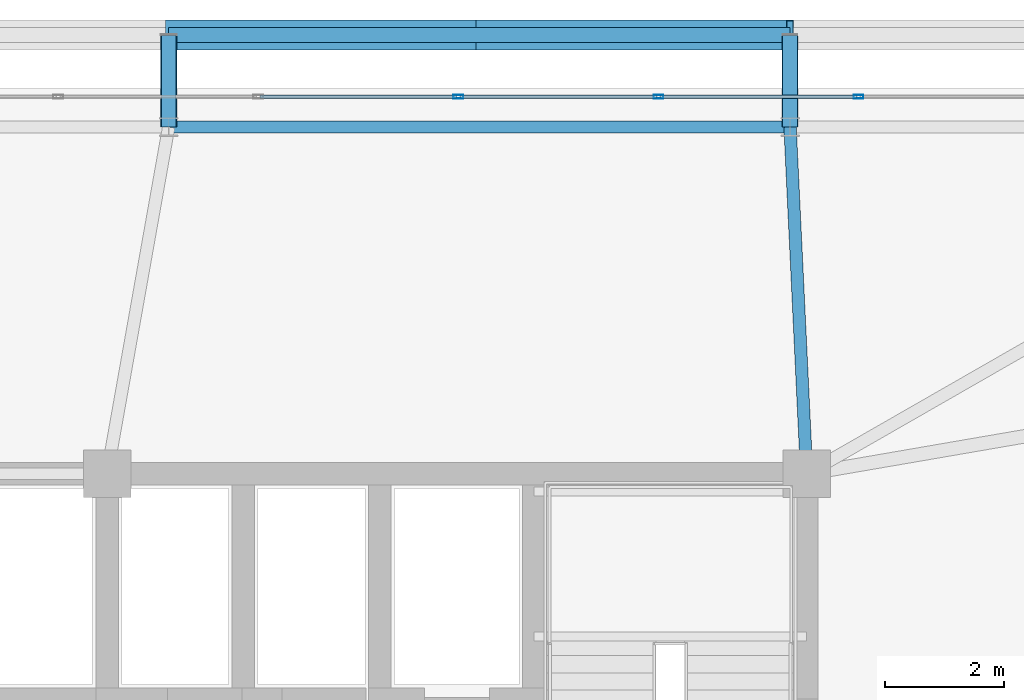
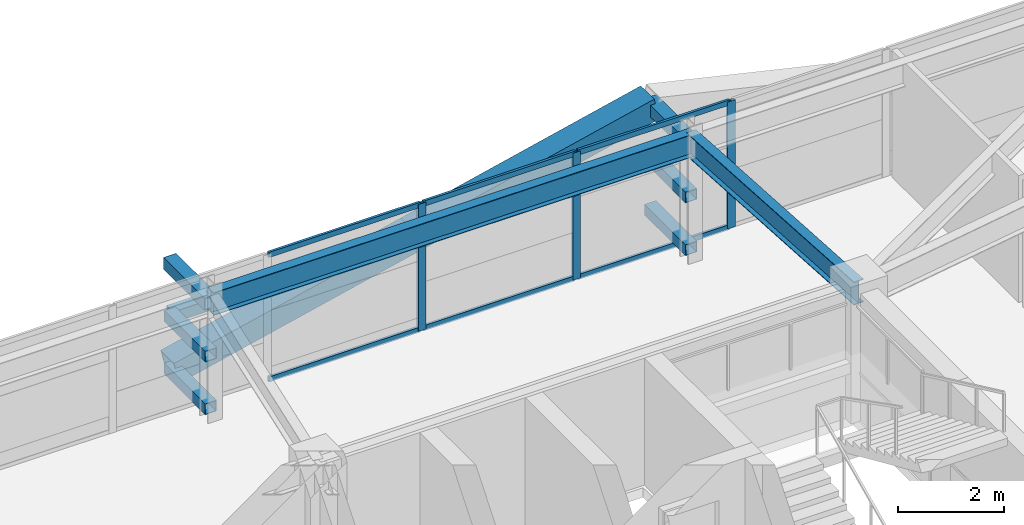
# One storey, part 38 of 59: 18 members, 2 beams, 1 element without a shape of its own.
"""IFC4 building model written with IfcOpenShell, lengths in metres."""

from ifc_helpers import new_model, si_unit, direction, frame, origin, origin_2d, place, context, subcontext, project, spatial, hollow_rectangle, i_section, extrude, source, transform, mapped, material, layer, layer_set, material_profile, profile_set, type_object, element, aggregate, save


model = new_model("IFC4")

# Units and contexts
model_context = context("Model", 3, precision=1e-05, world=origin(), true_north=direction((0.0, 1.0)))
body_context = subcontext(model_context, "Body", "Model", "MODEL_VIEW")
ifc_project = project(units=[si_unit("LENGTHUNIT", "METRE"), si_unit("AREAUNIT", "SQUARE_METRE"), si_unit("VOLUMEUNIT", "CUBIC_METRE"), si_unit("PLANEANGLEUNIT", "RADIAN"), si_unit("MASSUNIT", "GRAM", prefix="KILO")], contexts=[model_context])

# Site, building, storey
site_placement = place(None, origin())
site = spatial("IfcSite", under=ifc_project, at=site_placement, CompositionType="ELEMENT")
building_placement = place(site_placement, origin())
building = spatial("IfcBuilding", under=site, at=building_placement, Name="Taldren Reach Tower", CompositionType="ELEMENT")
storey_placement = place(building_placement, frame((0.0, 0.0, 19.949951171875)))
storey = spatial("IfcBuildingStorey", under=building, at=storey_placement, Name="L05", CompositionType="ELEMENT", Elevation=19.949951171875)

# Beams
ifc_material_1 = material(Name="Steel Gr 350 (350PLUS)", Category="steel")
ifc_material_profile_1 = material_profile(ifc_material_1, i_section(OverallWidth=0.208984375, OverallDepth=0.528076171875, WebThickness=0.009521484375, FlangeThickness=0.01318359375, at=origin_2d()), Name="530UB82.0")
ifc_profile_set_1 = profile_set([ifc_material_profile_1], Name="Steel Gr 350 (350PLUS)")
beam_type_1 = type_object("IfcBeamType", Name="SP-UB530B", PredefinedType="SPANDREL", material=ifc_profile_set_1)
shared_shape_1 = source(origin(), body_context, "Body", "SweptSolid", [
    extrude(i_section(OverallWidth=0.208984375, OverallDepth=0.528076171875, WebThickness=0.009521484375, FlangeThickness=0.01318359375, at=origin_2d()), origin(), (0.0, 0.0, 1.0), 10.47998046875),
])
beam_1_placement = place(storey_placement, frame((50.719970703125, 37.85009765625, 2.666015625), z_axis=(-1.0, 0.0, 0.0), x_axis=(0.0, -1.0, 0.0)))
element("IfcBeam", 1, at=beam_1_placement, inside=storey, type_object=beam_type_1, Name="Perimeter spandrel B1 N5-N4 L05", PredefinedType="SPANDREL", context=body_context, shape_type="MappedRepresentation", body=[
    mapped(shared_shape_1, transform((0.0, 0.0, 0.0), scale=1.0)),
])
ifc_material_profile_2 = material_profile(ifc_material_1, i_section(OverallWidth=0.208984375, OverallDepth=0.532958984375, WebThickness=0.01025390625, FlangeThickness=0.015625, at=origin_2d()), Name="530UB92.4")
ifc_profile_set_2 = profile_set([ifc_material_profile_2], Name="Steel Gr 350 (350PLUS)")
beam_type_2 = type_object("IfcBeamType", Name="BM-UB530A", PredefinedType="BEAM", material=ifc_profile_set_2)
shared_shape_2 = source(origin(), body_context, "Body", "SweptSolid", [
    extrude(i_section(OverallWidth=0.208984375, OverallDepth=0.532958984375, WebThickness=0.01025390625, FlangeThickness=0.015625, at=origin_2d()), origin(), (0.0, 0.0, 1.0), 5.856689453125),
])
beam_2_placement = place(storey_placement, frame((51.0, 32.0, 2.66357421875), z_axis=(-0.047812711672, 0.998856318297, 0.0), x_axis=(-0.998856318297, -0.047812711672, 0.0)))
element("IfcBeam", 2, at=beam_2_placement, inside=storey, type_object=beam_type_2, Name="Primary floor girder B1-N5 L05", PredefinedType="BEAM", context=body_context, shape_type="MappedRepresentation", body=[
    mapped(shared_shape_2, transform((0.0, 0.0, 0.0), scale=1.0)),
])

# Members
ifc_material_2 = material(Name="Steel Gr 450 (C450L0)", Category="steel")
ifc_material_profile_3 = material_profile(ifc_material_2, hollow_rectangle(XDim=0.27490234375, YDim=0.27490234375, WallThickness=0.00927734375, at=origin_2d()), Name="275x275x9.3SHS")
ifc_profile_set_3 = profile_set([ifc_material_profile_3], Name="Steel Gr 450 (C450L0)")
member_type_1 = type_object("IfcMemberType", Name="MB-TIE273", PredefinedType="STRUT", material=ifc_profile_set_3)
shared_shape_3 = source(origin(), body_context, "Body", "SweptSolid", [
    extrude(hollow_rectangle(XDim=0.27490234375, YDim=0.27490234375, WallThickness=0.00927734375, at=origin_2d()), origin(), (0.0, 0.0, 1.0), 1.5498046875),
])
for number, where, z_axis, x_axis, name in (
    (3, (40.239990234375, 37.85009765625, 2.650146484375), (0.0, 1.0, 0.0), (-1.0, 0.0, 0.0), "Exoskeleton diaphragm tie strut B1-N4 L05"),
    (4, (50.719970703125, 37.85009765625, 2.650146484375), (0.0, 1.0, 0.0), (-1.0, 0.0, 0.0), "Exoskeleton diaphragm tie strut B1-N5 L05"),
):
    element("IfcMember", number, at=place(storey_placement, frame(where, z_axis=z_axis, x_axis=x_axis)), inside=storey, type_object=member_type_1, Name=name, PredefinedType="STRUT", context=body_context, shape_type="MappedRepresentation", body=[
        mapped(shared_shape_3, transform((0.0, 0.0, 0.0), scale=1.0)),
    ])
ifc_material_profile_4 = material_profile(ifc_material_2, hollow_rectangle(XDim=0.510009765625, YDim=0.510009765625, WallThickness=0.02001953125, at=origin_2d()), Name="510x510x20.0SHS")
ifc_profile_set_4 = profile_set([ifc_material_profile_4], Name="Steel Gr 450 (C450L0)")
member_type_2 = type_object("IfcMemberType", Name="MB-EXO508", PredefinedType="BRACE", material=ifc_profile_set_4)
shared_shape_4 = source(origin(), body_context, "Body", "SweptSolid", [
    extrude(hollow_rectangle(XDim=0.510009765625, YDim=0.510009765625, WallThickness=0.02001953125, at=origin_2d()), origin(), (0.0, 0.0, 1.0), 5.37890625),
])
for number, where, z_axis, x_axis, name in (
    (5, (40.239990234375, 39.39990234375, 0.219970703125), (0.97415197996, 0.0, 0.225893603143), (0.0, 1.0, 0.0), "Exoskeleton Diagrid Brace B1-N4 L05"),
    (6, (45.47998046875, 39.39990234375, 1.43505859375), (0.97415197996, 0.0, 0.225893603143), (0.0, 1.0, 0.0), "Exoskeleton Diagrid Brace B1-N4 L05"),
):
    element("IfcMember", number, at=place(storey_placement, frame(where, z_axis=z_axis, x_axis=x_axis)), inside=storey, type_object=member_type_2, Name=name, PredefinedType="BRACE", context=body_context, shape_type="MappedRepresentation", body=[
        mapped(shared_shape_4, transform((0.0, 0.0, 0.0), scale=1.0)),
    ])
ifc_material_3 = material(Name="Steel Gr 350 (C350L0)", Category="steel")
ifc_material_profile_5 = material_profile(ifc_material_3, hollow_rectangle(XDim=0.25, YDim=0.25, WallThickness=0.010009765625, at=origin_2d()), Name="250x250x10.0SHS")
ifc_profile_set_5 = profile_set([ifc_material_profile_5], Name="Steel Gr 350 (C350L0)")
member_type_3 = type_object("IfcMemberType", Name="MB-POST250", PredefinedType="POST", material=ifc_profile_set_5)
shared_shape_5 = source(origin(), body_context, "Body", "SweptSolid", [
    extrude(hollow_rectangle(XDim=0.25, YDim=0.25, WallThickness=0.010009765625, at=origin_2d()), origin(), (0.0, 0.0, 1.0), 10.47998046875),
])
member_1_placement = place(storey_placement, frame((40.239990234375, 39.39990234375, 1.43505859375), z_axis=(1.0, 0.0, 0.0), x_axis=(0.0, 1.0, 0.0)))
element("IfcMember", 7, at=member_1_placement, inside=storey, type_object=member_type_3, Name="Exoskeleton mid-height ring chord B1-N4 L05", PredefinedType="POST", context=body_context, shape_type="MappedRepresentation", body=[
    mapped(shared_shape_5, transform((0.0, 0.0, 0.0), scale=1.0)),
])
shared_shape_6 = source(origin(), body_context, "Body", "SweptSolid", [
    extrude(hollow_rectangle(XDim=0.25, YDim=0.25, WallThickness=0.010009765625, at=origin_2d()), origin(), (0.0, 0.0, 1.0), 1.5498046875),
])
for number, where, z_axis, x_axis, name in (
    (8, (40.239990234375, 37.85009765625, 0.219970703125), (0.0, 1.0, 0.0), (-1.0, 0.0, 0.0), "Exoskeleton base diaphragm tie strut B1-N4 L05"),
    (9, (50.719970703125, 37.85009765625, 0.219970703125), (0.0, 1.0, 0.0), (-1.0, 0.0, 0.0), "Exoskeleton base diaphragm tie strut B1-N5 L05"),
    (10, (40.239990234375, 37.85009765625, 1.43505859375), (0.0, 1.0, 0.0), (-1.0, 0.0, 0.0), "Exoskeleton mid-tier diaphragm tie B1-N4 L05"),
    (11, (50.719970703125, 37.85009765625, 1.43505859375), (0.0, 1.0, 0.0), (-1.0, 0.0, 0.0), "Exoskeleton mid-tier diaphragm tie B1-N5 L05"),
):
    element("IfcMember", number, at=place(storey_placement, frame(where, z_axis=z_axis, x_axis=x_axis)), inside=storey, type_object=member_type_3, Name=name, PredefinedType="POST", context=body_context, shape_type="MappedRepresentation", body=[
        mapped(shared_shape_6, transform((0.0, 0.0, 0.0), scale=1.0)),
    ])

# Curtain wall, members
ifc_material_4 = material(Name="Aluminium and Low-E Glass Unitised System", Category="aluminium")
ifc_layer = layer(ifc_material_4, 0.159912109375)
ifc_layer_set = layer_set([ifc_layer], Name="Aluminium and Low-E Glass Unitised System")
curtain_wall_type = type_object("IfcCurtainWallType", Name="CW-SYS-2", PredefinedType="NOTDEFINED", material=ifc_layer_set)
curtain_wall_placement = place(storey_placement, origin())
curtain_wall = element("IfcCurtainWall", 12, at=curtain_wall_placement, inside=storey, type_object=curtain_wall_type, Name="Unitised curtain wall CW-L05-N", PredefinedType="NOTDEFINED")
ifc_material_5 = material(Name="Anodised Aluminium 6063-T6", Category="aluminium")
ifc_material_profile_6 = material_profile(ifc_material_5, hollow_rectangle(XDim=0.06494140625, YDim=0.1650390625, WallThickness=0.00390625, at=origin_2d()), Name="ALU-165x65x4RHS")
ifc_profile_set_6 = profile_set([ifc_material_profile_6], Name="Anodised Aluminium 6063-T6")
member_type_4 = type_object("IfcMemberType", Name="CW-MUL-165", PredefinedType="MULLION", material=ifc_profile_set_6)
shared_shape_7 = source(origin(), body_context, "Body", "SweptSolid", [
    extrude(hollow_rectangle(XDim=0.06494140625, YDim=0.1650390625, WallThickness=0.00390625, at=origin_2d()), origin(), (0.0, 0.0, 1.0), 2.929931640625),
])
member_2_placement = place(storey_placement, frame((51.875, 38.360107421875, 0.0), z_axis=(0.0, 0.0, 1.0), x_axis=(0.0, -1.0, 0.0)))
member_2 = element("IfcMember", 13, at=member_2_placement, type_object=member_type_4, Name="CW-2 mullion 4", PredefinedType="MULLION", context=body_context, shape_type="MappedRepresentation", body=[
    mapped(shared_shape_7, transform((0.0, 0.0, 0.0), scale=1.0)),
])
member_3_placement = place(storey_placement, frame((48.5, 38.360107421875, 0.0), z_axis=(0.0, 0.0, 1.0), x_axis=(0.0, -1.0, 0.0)))
member_3 = element("IfcMember", 14, at=member_3_placement, type_object=member_type_4, Name="CW-2 mullion 5", PredefinedType="MULLION", context=body_context, shape_type="MappedRepresentation", body=[
    mapped(shared_shape_7, transform((0.0, 0.0, 0.0), scale=1.0)),
])
member_4_placement = place(storey_placement, frame((45.125, 38.360107421875, 0.0), z_axis=(0.0, 0.0, 1.0), x_axis=(0.0, -1.0, 0.0)))
member_4 = element("IfcMember", 15, at=member_4_placement, type_object=member_type_4, Name="CW-2 mullion 6", PredefinedType="MULLION", context=body_context, shape_type="MappedRepresentation", body=[
    mapped(shared_shape_7, transform((0.0, 0.0, 0.0), scale=1.0)),
])
ifc_material_profile_7 = material_profile(ifc_material_5, hollow_rectangle(XDim=0.054931640625, YDim=0.1201171875, WallThickness=0.0029296875, at=origin_2d()), Name="ALU-120x55x3RHS")
ifc_profile_set_7 = profile_set([ifc_material_profile_7], Name="Anodised Aluminium 6063-T6")
member_type_5 = type_object("IfcMemberType", Name="CW-TRN-135", PredefinedType="USERDEFINED", material=ifc_profile_set_7)
shared_shape_8 = source(origin(), body_context, "Body", "SweptSolid", [
    extrude(hollow_rectangle(XDim=0.054931640625, YDim=0.1201171875, WallThickness=0.0029296875, at=origin_2d()), origin(), (0.0, 0.0, 1.0), 3.31005859375),
])
member_5_placement = place(storey_placement, frame((51.842529296875, 38.360107421875, 0.027587890625), z_axis=(-1.0, 0.0, 0.0), x_axis=(0.0, -1.0, 0.0)))
member_5 = element("IfcMember", 16, at=member_5_placement, type_object=member_type_5, Name="CW-2 transom 4.1", ObjectType="TRANSOM", PredefinedType="USERDEFINED", context=body_context, shape_type="MappedRepresentation", body=[
    mapped(shared_shape_8, transform((0.0, 0.0, 0.0), scale=1.0)),
])
member_6_placement = place(storey_placement, frame((51.842529296875, 38.360107421875, 2.902587890625), z_axis=(-1.0, 0.0, 0.0), x_axis=(0.0, -1.0, 0.0)))
member_6 = element("IfcMember", 17, at=member_6_placement, type_object=member_type_5, Name="CW-2 transom 4.2", ObjectType="TRANSOM", PredefinedType="USERDEFINED", context=body_context, shape_type="MappedRepresentation", body=[
    mapped(shared_shape_8, transform((0.0, 0.0, 0.0), scale=1.0)),
])
member_7_placement = place(storey_placement, frame((48.467529296875, 38.360107421875, 0.027587890625), z_axis=(-1.0, 0.0, 0.0), x_axis=(0.0, -1.0, 0.0)))
member_7 = element("IfcMember", 18, at=member_7_placement, type_object=member_type_5, Name="CW-2 transom 5.1", ObjectType="TRANSOM", PredefinedType="USERDEFINED", context=body_context, shape_type="MappedRepresentation", body=[
    mapped(shared_shape_8, transform((0.0, 0.0, 0.0), scale=1.0)),
])
member_8_placement = place(storey_placement, frame((48.467529296875, 38.360107421875, 2.902587890625), z_axis=(-1.0, 0.0, 0.0), x_axis=(0.0, -1.0, 0.0)))
member_8 = element("IfcMember", 19, at=member_8_placement, type_object=member_type_5, Name="CW-2 transom 5.2", ObjectType="TRANSOM", PredefinedType="USERDEFINED", context=body_context, shape_type="MappedRepresentation", body=[
    mapped(shared_shape_8, transform((0.0, 0.0, 0.0), scale=1.0)),
])
member_9_placement = place(storey_placement, frame((45.092529296875, 38.360107421875, 0.027587890625), z_axis=(-1.0, 0.0, 0.0), x_axis=(0.0, -1.0, 0.0)))
member_9 = element("IfcMember", 20, at=member_9_placement, type_object=member_type_5, Name="CW-2 transom 6.1", ObjectType="TRANSOM", PredefinedType="USERDEFINED", context=body_context, shape_type="MappedRepresentation", body=[
    mapped(shared_shape_8, transform((0.0, 0.0, 0.0), scale=1.0)),
])
member_10_placement = place(storey_placement, frame((45.092529296875, 38.360107421875, 2.902587890625), z_axis=(-1.0, 0.0, 0.0), x_axis=(0.0, -1.0, 0.0)))
member_10 = element("IfcMember", 21, at=member_10_placement, type_object=member_type_5, Name="CW-2 transom 6.2", ObjectType="TRANSOM", PredefinedType="USERDEFINED", context=body_context, shape_type="MappedRepresentation", body=[
    mapped(shared_shape_8, transform((0.0, 0.0, 0.0), scale=1.0)),
])
aggregate(curtain_wall, [member_2, member_3, member_4, member_5, member_6, member_7, member_8, member_9, member_10])

save(model, "model.ifc")
